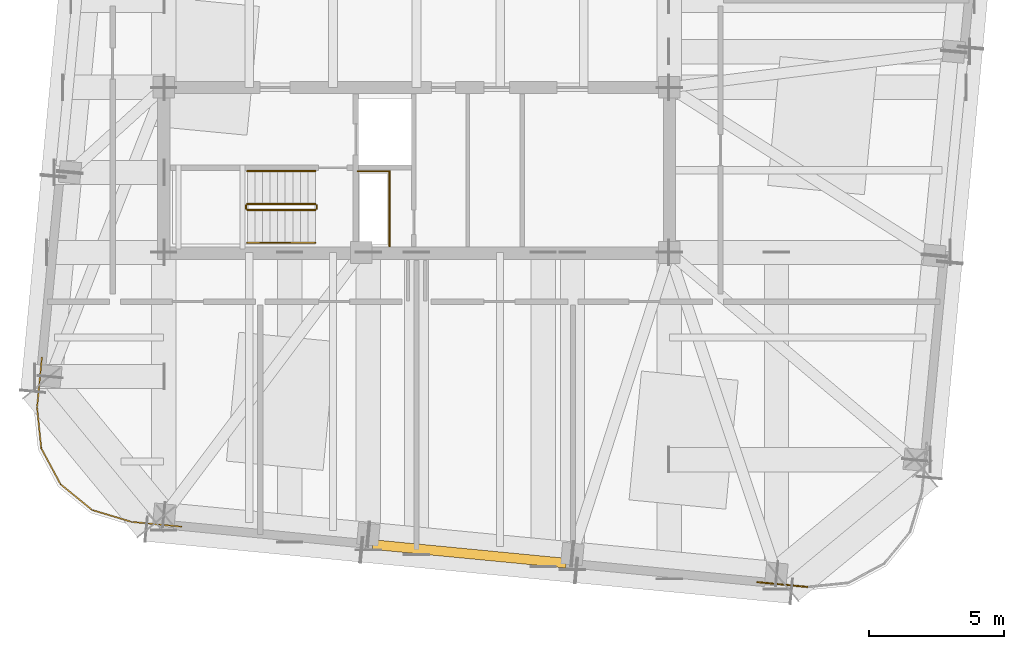
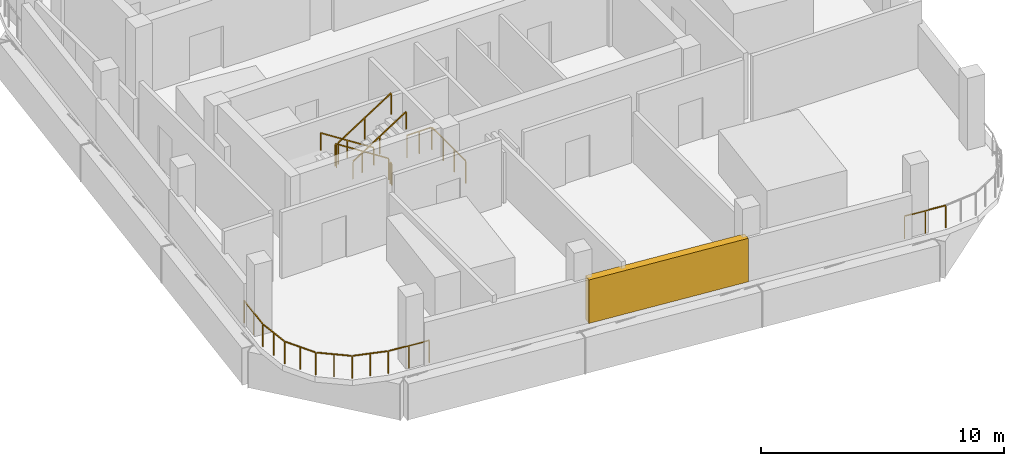
# One storey, part 7 of 10: 9 railings, 1 shading device.
"""IFC4 building model written with IfcOpenShell, lengths in metres."""

from ifc_helpers import new_model, si_unit, direction, frame, origin, origin_2d, place, context, subcontext, project, spatial, rectangle, extrude, material, type_object, element, save


model = new_model("IFC4")

# Units and contexts
model_context = context("Model", 3, precision=1e-05, world=origin(), true_north=direction((0.0, 1.0)))
body_context = subcontext(model_context, "Body", "Model", "MODEL_VIEW")
ifc_project = project(units=[si_unit("LENGTHUNIT", "METRE"), si_unit("AREAUNIT", "SQUARE_METRE"), si_unit("VOLUMEUNIT", "CUBIC_METRE"), si_unit("PLANEANGLEUNIT", "RADIAN"), si_unit("MASSUNIT", "GRAM", prefix="KILO")], contexts=[model_context])

# Site, building, storey
site_placement = place(None, origin())
site = spatial("IfcSite", under=ifc_project, at=site_placement, CompositionType="ELEMENT")
building_placement = place(site_placement, origin())
building = spatial("IfcBuilding", under=site, at=building_placement, Name="Qhalaya Broadcast Tower", CompositionType="ELEMENT")
storey_placement = place(building_placement, frame((0.0, 0.0, 289.25)))
storey = spatial("IfcBuildingStorey", under=building, at=storey_placement, Name="L85", CompositionType="ELEMENT", Elevation=289.25)

# Shading device
ifc_material_1 = material(Name="Fired Architectural Terracotta", Category="masonry")
shading_device_type = type_object("IfcShadingDeviceType", Name="Plant & Turbine-Slot Acoustic Louvre Screen LVS-01", PredefinedType="USERDEFINED", material=ifc_material_1)
shading_device_placement = place(storey_placement, frame((1.96240234375, -19.92431640625, 0.0), z_axis=(0.0, 0.0, 1.0), x_axis=(-0.995396198367, 0.09584575252, 0.0)))
element("IfcShadingDevice", 1, at=shading_device_placement, inside=storey, type_object=shading_device_type, Name="L85 Plant Acoustic Louvre Screen S", ObjectType="LOUVRE", PredefinedType="USERDEFINED", context=body_context, shape_type="SweptSolid", body=[
    extrude(rectangle(XDim=7.199951171875, YDim=0.360107421875, at=origin_2d()), origin(), (0.0, 0.0, 1.0), 2.181884765625),
])

# Railings
ifc_material_2 = material(Name="Powder-Coated Galvanised Steel", Category="steel")
railing_type_1 = type_object("IfcRailingType", Name="Stair Wall Handrail 900", PredefinedType="HANDRAIL", material=ifc_material_2)
railing_1_placement = place(storey_placement, frame((-3.75, -5.72998046875, 0.179931640625)))
element("IfcRailing", 2, at=railing_1_placement, inside=storey, type_object=railing_type_1, Name="L85 ST-2 Stair Handrail 1", PredefinedType="HANDRAIL", context=body_context, shape_type="SweptSolid", body=[
    extrude(rectangle(XDim=0.048095703125, YDim=0.048095703125, at=origin_2d()), frame((0.0, 0.0, 0.8759765625), z_axis=(-0.841162588446, 0.0, 0.540782303519), x_axis=(0.0, -1.0, 0.0)), (0.0, 0.0, 1.0), 2.995849609375),
    extrude(rectangle(XDim=0.0419921875, YDim=0.0419921875, at=origin_2d()), origin(), (0.0, 0.0, 1.0), 0.849853515625),
    extrude(rectangle(XDim=0.0419921875, YDim=0.0419921875, at=origin_2d()), frame((-1.260009765625, 0.0, 0.81005859375)), (0.0, 0.0, 1.0), 0.849853515625),
    extrude(rectangle(XDim=0.0419921875, YDim=0.0419921875, at=origin_2d()), frame((-2.52001953125, 0.0, 1.6201171875)), (0.0, 0.0, 1.0), 0.849853515625),
])
railing_2_placement = place(storey_placement, frame((-6.27001953125, -8.389892578125, 1.97998046875)))
element("IfcRailing", 3, at=railing_2_placement, inside=storey, type_object=railing_type_1, Name="L85 ST-2 Stair Handrail 2", PredefinedType="HANDRAIL", context=body_context, shape_type="SweptSolid", body=[
    extrude(rectangle(XDim=0.048095703125, YDim=0.048095703125, at=origin_2d()), frame((0.0, 0.0, 0.8759765625), z_axis=(0.841162588446, 0.0, 0.540782303519), x_axis=(0.0, 1.0, 0.0)), (0.0, 0.0, 1.0), 2.995849609375),
    extrude(rectangle(XDim=0.0419921875, YDim=0.0419921875, at=origin_2d()), origin(), (0.0, 0.0, 1.0), 0.849853515625),
    extrude(rectangle(XDim=0.0419921875, YDim=0.0419921875, at=origin_2d()), frame((1.260009765625, 0.0, 0.81005859375)), (0.0, 0.0, 1.0), 0.849853515625),
    extrude(rectangle(XDim=0.0419921875, YDim=0.0419921875, at=origin_2d()), frame((2.52001953125, 0.0, 1.6201171875)), (0.0, 0.0, 1.0), 0.849853515625),
])
railing_type_2 = type_object("IfcRailingType", Name="Stair Well & Landing Guardrail 1100", PredefinedType="GUARDRAIL", material=ifc_material_2)
railing_3_placement = place(storey_placement, frame((-1.0, -8.52001953125, 0.0)))
element("IfcRailing", 4, at=railing_3_placement, inside=storey, type_object=railing_type_2, Name="L85 Service Riser Opening Safety Guard SRSR", PredefinedType="GUARDRAIL", context=body_context, shape_type="SweptSolid", body=[
    extrude(rectangle(XDim=0.048095703125, YDim=0.048095703125, at=origin_2d()), frame((0.0, 0.0, 1.1259765625), z_axis=(0.0, 1.0, 0.0), x_axis=(-1.0, 0.0, 0.0)), (0.0, 0.0, 1.0), 2.751220703125),
    extrude(rectangle(XDim=0.048095703125, YDim=0.048095703125, at=origin_2d()), frame((-0.02880859375, 2.780029296875, 1.1259765625), z_axis=(-1.0, 0.0, 0.0), x_axis=(0.0, -1.0, 0.0)), (0.0, 0.0, 1.0), 1.151123046875),
    extrude(rectangle(XDim=0.0419921875, YDim=0.0419921875, at=origin_2d()), origin(), (0.0, 0.0, 1.0), 1.099853515625),
    extrude(rectangle(XDim=0.0419921875, YDim=0.0419921875, at=origin_2d()), frame((0.0, 0.9267578125, 0.0)), (0.0, 0.0, 1.0), 1.099853515625),
    extrude(rectangle(XDim=0.0419921875, YDim=0.0419921875, at=origin_2d()), frame((0.0, 1.853271484375, 0.0)), (0.0, 0.0, 1.0), 1.099853515625),
    extrude(rectangle(XDim=0.0419921875, YDim=0.0419921875, at=origin_2d()), frame((0.0, 2.780029296875, 0.0)), (0.0, 0.0, 1.0), 1.099853515625),
    extrude(rectangle(XDim=0.0419921875, YDim=0.0419921875, at=origin_2d()), frame((-0.58984375, 2.780029296875, 0.0)), (0.0, 0.0, 1.0), 1.099853515625),
    extrude(rectangle(XDim=0.0419921875, YDim=0.0419921875, at=origin_2d()), frame((-1.179931640625, 2.780029296875, 0.0)), (0.0, 0.0, 1.0), 1.099853515625),
])
railing_4_placement = place(storey_placement, frame((-3.75, -6.949951171875, 0.179931640625)))
element("IfcRailing", 5, at=railing_4_placement, inside=storey, type_object=railing_type_2, Name="L85 ST-2 Stair Guard 1", PredefinedType="GUARDRAIL", context=body_context, shape_type="SweptSolid", body=[
    extrude(rectangle(XDim=0.048095703125, YDim=0.048095703125, at=origin_2d()), frame((0.0, 0.0, 1.076171875), z_axis=(-0.841162588446, 0.0, 0.540782303519), x_axis=(0.0, -1.0, 0.0)), (0.0, 0.0, 1.0), 2.995849609375),
    extrude(rectangle(XDim=0.0419921875, YDim=0.0419921875, at=origin_2d()), origin(), (0.0, 0.0, 1.0), 1.050048828125),
    extrude(rectangle(XDim=0.0419921875, YDim=0.0419921875, at=origin_2d()), frame((-1.260009765625, 0.0, 0.81005859375)), (0.0, 0.0, 1.0), 1.050048828125),
    extrude(rectangle(XDim=0.0419921875, YDim=0.0419921875, at=origin_2d()), frame((-2.52001953125, 0.0, 1.6201171875)), (0.0, 0.0, 1.0), 1.050048828125),
])
railing_5_placement = place(storey_placement, frame((-6.320068359375, -7.0, 1.800048828125)))
element("IfcRailing", 6, at=railing_5_placement, inside=storey, type_object=railing_type_2, Name="L85 ST-2 Stair Guard 2", PredefinedType="GUARDRAIL", context=body_context, shape_type="SweptSolid", body=[
    extrude(rectangle(XDim=0.048095703125, YDim=0.048095703125, at=origin_2d()), frame((0.0, 0.0, 1.076171875), z_axis=(0.0, -1.0, 0.0), x_axis=(1.0, 0.0, 0.0)), (0.0, 0.0, 1.0), 0.1201171875),
    extrude(rectangle(XDim=0.0419921875, YDim=0.0419921875, at=origin_2d()), origin(), (0.0, 0.0, 1.0), 1.050048828125),
    extrude(rectangle(XDim=0.0419921875, YDim=0.0419921875, at=origin_2d()), frame((0.0, -0.1201171875, 0.0)), (0.0, 0.0, 1.0), 1.050048828125),
])
railing_6_placement = place(storey_placement, frame((-6.27001953125, -7.169921875, 1.97998046875)))
element("IfcRailing", 7, at=railing_6_placement, inside=storey, type_object=railing_type_2, Name="L85 ST-2 Stair Guard 3", PredefinedType="GUARDRAIL", context=body_context, shape_type="SweptSolid", body=[
    extrude(rectangle(XDim=0.048095703125, YDim=0.048095703125, at=origin_2d()), frame((0.0, 0.0, 1.076171875), z_axis=(0.841162588446, 0.0, 0.540782303519), x_axis=(0.0, 1.0, 0.0)), (0.0, 0.0, 1.0), 2.995849609375),
    extrude(rectangle(XDim=0.0419921875, YDim=0.0419921875, at=origin_2d()), origin(), (0.0, 0.0, 1.0), 1.050048828125),
    extrude(rectangle(XDim=0.0419921875, YDim=0.0419921875, at=origin_2d()), frame((1.260009765625, 0.0, 0.81005859375)), (0.0, 0.0, 1.0), 1.050048828125),
    extrude(rectangle(XDim=0.0419921875, YDim=0.0419921875, at=origin_2d()), frame((2.52001953125, 0.0, 1.6201171875)), (0.0, 0.0, 1.0), 1.050048828125),
])
railing_7_placement = place(storey_placement, frame((-3.699951171875, -7.0, 0.0)))
element("IfcRailing", 8, at=railing_7_placement, inside=storey, type_object=railing_type_2, Name="L85 ST-2 Stair Guard 4", PredefinedType="GUARDRAIL", context=body_context, shape_type="SweptSolid", body=[
    extrude(rectangle(XDim=0.048095703125, YDim=0.048095703125, at=origin_2d()), frame((0.0, 0.0, 1.076171875), z_axis=(0.0, -1.0, 0.0), x_axis=(1.0, 0.0, 0.0)), (0.0, 0.0, 1.0), 0.1201171875),
    extrude(rectangle(XDim=0.0419921875, YDim=0.0419921875, at=origin_2d()), origin(), (0.0, 0.0, 1.0), 1.050048828125),
    extrude(rectangle(XDim=0.0419921875, YDim=0.0419921875, at=origin_2d()), frame((0.0, -0.1201171875, 0.0)), (0.0, 0.0, 1.0), 1.050048828125),
])
railing_type_3 = type_object("IfcRailingType", Name="Terrace, Sky-Pool & Lookout Glass Balustrade 1150", PredefinedType="BALUSTRADE", material=ifc_material_2)
railing_8_placement = place(storey_placement, frame((14.49072265625, -21.150634765625, 0.0)))
element("IfcRailing", 9, at=railing_8_placement, inside=storey, type_object=railing_type_3, Name="L85 Rounded Corner Perimeter Guard 01", PredefinedType="BALUSTRADE", context=body_context, shape_type="SweptSolid", body=[
    extrude(rectangle(XDim=0.048095703125, YDim=0.048095703125, at=origin_2d()), frame((0.0, 0.0, 1.1259765625), z_axis=(-0.995392627918, 0.095882825813, 0.0), x_axis=(-0.095882825813, -0.995392627918, 0.0)), (0.0, 0.0, 1.0), 1.856201171875),
    extrude(rectangle(XDim=0.0419921875, YDim=0.0419921875, at=origin_2d()), origin(), (0.0, 0.0, 1.0), 1.099853515625),
    extrude(rectangle(XDim=0.0419921875, YDim=0.0419921875, at=origin_2d()), frame((-0.923828125, 0.0888671875, 0.0)), (0.0, 0.0, 1.0), 1.099853515625),
    extrude(rectangle(XDim=0.0419921875, YDim=0.0419921875, at=origin_2d()), frame((-1.84765625, 0.177978515625, 0.0)), (0.0, 0.0, 1.0), 1.099853515625),
])
railing_9_placement = place(storey_placement, frame((-8.72216796875, -18.91552734375, 0.0)))
element("IfcRailing", 10, at=railing_9_placement, inside=storey, type_object=railing_type_3, Name="L85 Rounded Corner Perimeter Guard 02", PredefinedType="BALUSTRADE", context=body_context, shape_type="SweptSolid", body=[
    extrude(rectangle(XDim=0.048095703125, YDim=0.048095703125, at=origin_2d()), frame((0.0, 0.0, 1.1259765625), z_axis=(-0.99539141849, 0.095895380478, 0.0), x_axis=(-0.095895380478, -0.99539141849, 0.0)), (0.0, 0.0, 1.0), 1.8271484375),
    extrude(rectangle(XDim=0.048095703125, YDim=0.048095703125, at=origin_2d()), frame((-1.875, 0.186279296875, 1.1259765625), z_axis=(-0.957588042461, 0.288140835244, 0.0), x_axis=(-0.288140835244, -0.957588042461, 0.0)), (0.0, 0.0, 1.0), 1.467529296875),
    extrude(rectangle(XDim=0.048095703125, YDim=0.048095703125, at=origin_2d()), frame((-3.330322265625, 0.6357421875, 1.1259765625), z_axis=(-0.774388490212, 0.632710412611, 0.0), x_axis=(-0.632710412611, -0.774388490212, 0.0)), (0.0, 0.0, 1.0), 1.455322265625),
    extrude(rectangle(XDim=0.048095703125, YDim=0.048095703125, at=origin_2d()), frame((-4.4931640625, 1.60009765625, 1.1259765625), z_axis=(-0.473416510775, 0.880838695406, 0.0), x_axis=(-0.880838695406, -0.473416510775, 0.0)), (0.0, 0.0, 1.0), 1.455322265625),
    extrude(rectangle(XDim=0.048095703125, YDim=0.048095703125, at=origin_2d()), frame((-5.19873046875, 2.936279296875, 1.1259765625), z_axis=(-0.100058483264, 0.994981557581, 0.0), x_axis=(-0.994981557581, -0.100058483264, 0.0)), (0.0, 0.0, 1.0), 1.46728515625),
    extrude(rectangle(XDim=0.048095703125, YDim=0.048095703125, at=origin_2d()), frame((-5.345703125, 4.45361328125, 1.1259765625), z_axis=(0.095882825813, 0.995392627918, 0.0), x_axis=(-0.995392627918, 0.095882825813, 0.0)), (0.0, 0.0, 1.0), 1.827392578125),
    extrude(rectangle(XDim=0.0419921875, YDim=0.0419921875, at=origin_2d()), origin(), (0.0, 0.0, 1.0), 1.099853515625),
    extrude(rectangle(XDim=0.0419921875, YDim=0.0419921875, at=origin_2d()), frame((-0.923828125, 0.0888671875, 0.0)), (0.0, 0.0, 1.0), 1.099853515625),
    extrude(rectangle(XDim=0.0419921875, YDim=0.0419921875, at=origin_2d()), frame((-1.847412109375, 0.177978515625, 0.0)), (0.0, 0.0, 1.0), 1.099853515625),
    extrude(rectangle(XDim=0.0419921875, YDim=0.0419921875, at=origin_2d()), frame((-2.57763671875, 0.397705078125, 0.0)), (0.0, 0.0, 1.0), 1.099853515625),
    extrude(rectangle(XDim=0.0419921875, YDim=0.0419921875, at=origin_2d()), frame((-3.307861328125, 0.617431640625, 0.0)), (0.0, 0.0, 1.0), 1.099853515625),
    extrude(rectangle(XDim=0.0419921875, YDim=0.0419921875, at=origin_2d()), frame((-3.8935546875, 1.09619140625, 0.0)), (0.0, 0.0, 1.0), 1.099853515625),
    extrude(rectangle(XDim=0.0419921875, YDim=0.0419921875, at=origin_2d()), frame((-4.4794921875, 1.57470703125, 0.0)), (0.0, 0.0, 1.0), 1.099853515625),
    extrude(rectangle(XDim=0.0419921875, YDim=0.0419921875, at=origin_2d()), frame((-4.837646484375, 2.2412109375, 0.0)), (0.0, 0.0, 1.0), 1.099853515625),
    extrude(rectangle(XDim=0.0419921875, YDim=0.0419921875, at=origin_2d()), frame((-5.19580078125, 2.907470703125, 0.0)), (0.0, 0.0, 1.0), 1.099853515625),
    extrude(rectangle(XDim=0.0419921875, YDim=0.0419921875, at=origin_2d()), frame((-5.27197265625, 3.666015625, 0.0)), (0.0, 0.0, 1.0), 1.099853515625),
    extrude(rectangle(XDim=0.0419921875, YDim=0.0419921875, at=origin_2d()), frame((-5.348388671875, 4.4248046875, 0.0)), (0.0, 0.0, 1.0), 1.099853515625),
    extrude(rectangle(XDim=0.0419921875, YDim=0.0419921875, at=origin_2d()), frame((-5.25927734375, 5.3486328125, 0.0)), (0.0, 0.0, 1.0), 1.099853515625),
    extrude(rectangle(XDim=0.0419921875, YDim=0.0419921875, at=origin_2d()), frame((-5.17041015625, 6.2724609375, 0.0)), (0.0, 0.0, 1.0), 1.099853515625),
])

save(model, "model.ifc")
